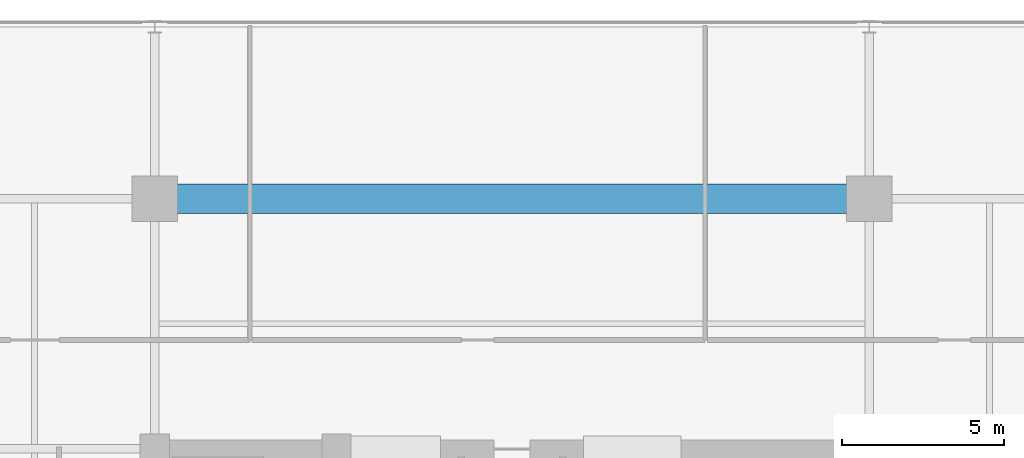
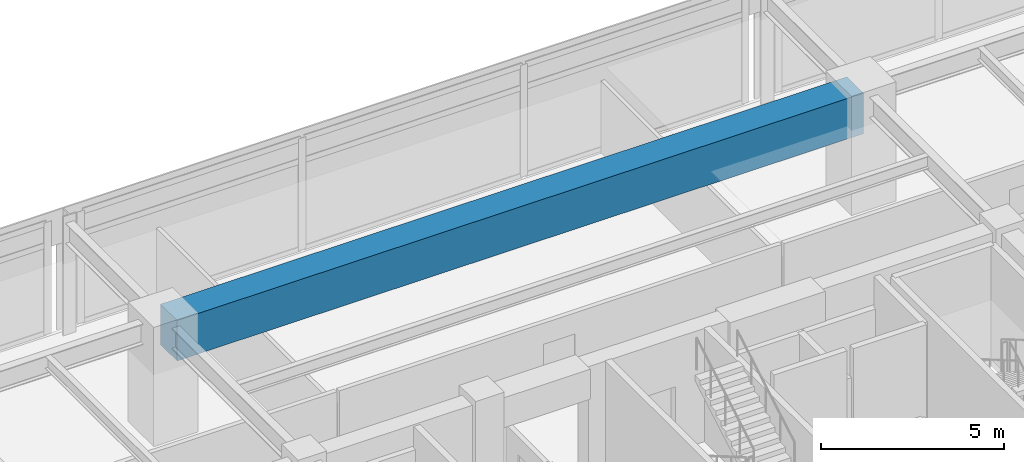
# One storey, part 9 of 23: 1 beam.
"""IFC4 building model written with IfcOpenShell, lengths in metres."""

from ifc_helpers import new_model, si_unit, direction, frame, origin, origin_2d, place, context, subcontext, project, spatial, rectangle, extrude, material, material_profile, profile_set, type_object, element, save


model = new_model("IFC4")

# Units and contexts
model_context = context("Model", 3, precision=1e-05, world=origin(), true_north=direction((0.0, 1.0)))
body_context = subcontext(model_context, "Body", "Model", "MODEL_VIEW")
ifc_project = project(units=[si_unit("LENGTHUNIT", "METRE"), si_unit("AREAUNIT", "SQUARE_METRE"), si_unit("VOLUMEUNIT", "CUBIC_METRE"), si_unit("PLANEANGLEUNIT", "RADIAN"), si_unit("MASSUNIT", "GRAM", prefix="KILO")], contexts=[model_context])

# Site, building, storey
site_placement = place(None, origin())
site = spatial("IfcSite", under=ifc_project, at=site_placement, CompositionType="ELEMENT")
building_placement = place(site_placement, origin())
building = spatial("IfcBuilding", under=site, at=building_placement, Name="Kovane Verandah Tower", CompositionType="ELEMENT")
storey_placement = place(building_placement, frame((0.0, 0.0, 221.199951171875)))
storey = spatial("IfcBuildingStorey", under=building, at=storey_placement, Name="L51", CompositionType="ELEMENT", Elevation=221.199951171875)

# Beam
ifc_material = material(Name="Concrete C80/95", Category="concrete")
ifc_material_profile = material_profile(ifc_material, rectangle(XDim=0.89990234375, YDim=1.35009765625, at=origin_2d()), Name="RCB900x1350")
ifc_profile_set = profile_set([ifc_material_profile], Name="Concrete C80/95")
beam_type = type_object("IfcBeamType", Name="BM-TR-900x1350", PredefinedType="BEAM", material=ifc_profile_set)
beam_placement = place(storey_placement, frame((29.179931640625, 44.199951171875, 3.10009765625), z_axis=(1.0, 0.0, 0.0), x_axis=(0.0, 1.0, 0.0)))
element("IfcBeam", 1, at=beam_placement, inside=storey, type_object=beam_type, Name="L51 Primary Tower Girder G-RN2", PredefinedType="BEAM", context=body_context, shape_type="SweptSolid", body=[
    extrude(rectangle(XDim=0.89990234375, YDim=1.35009765625, at=origin_2d()), origin(), (0.0, 0.0, 1.0), 21.64013671875),
])

save(model, "model.ifc")
